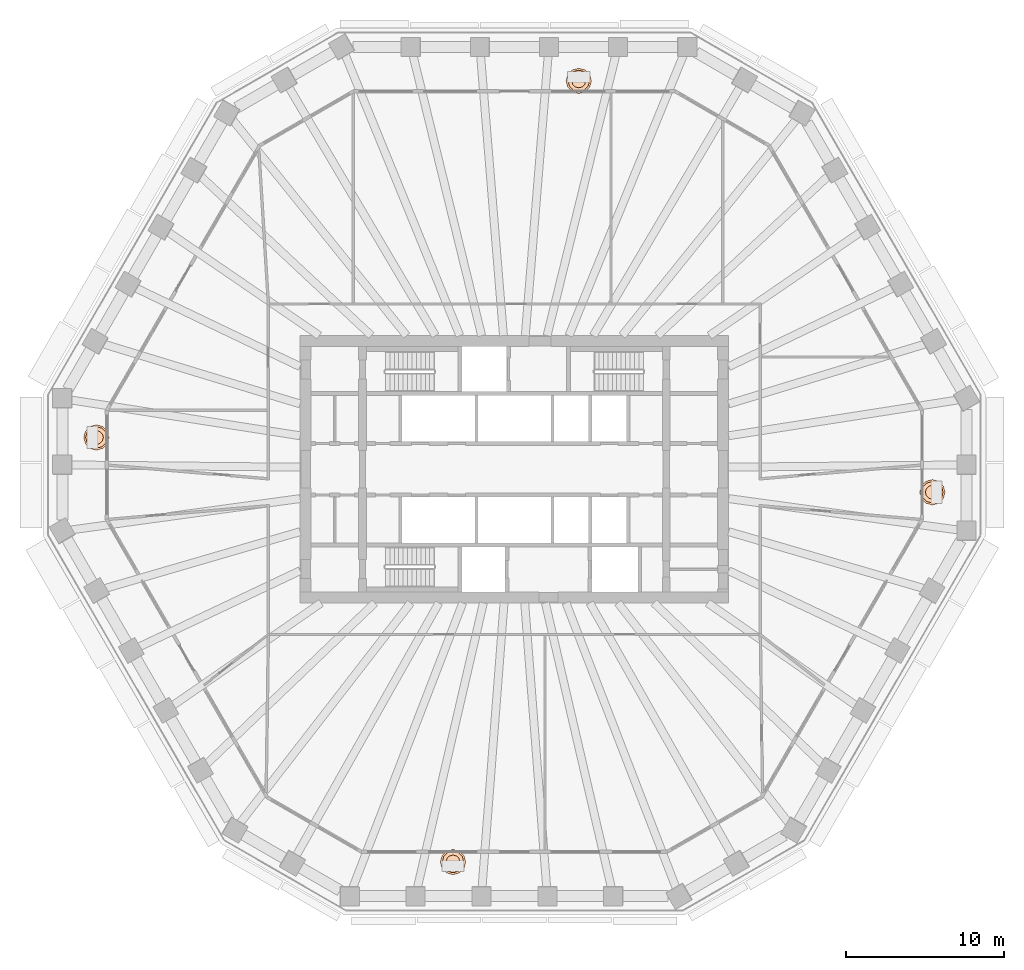
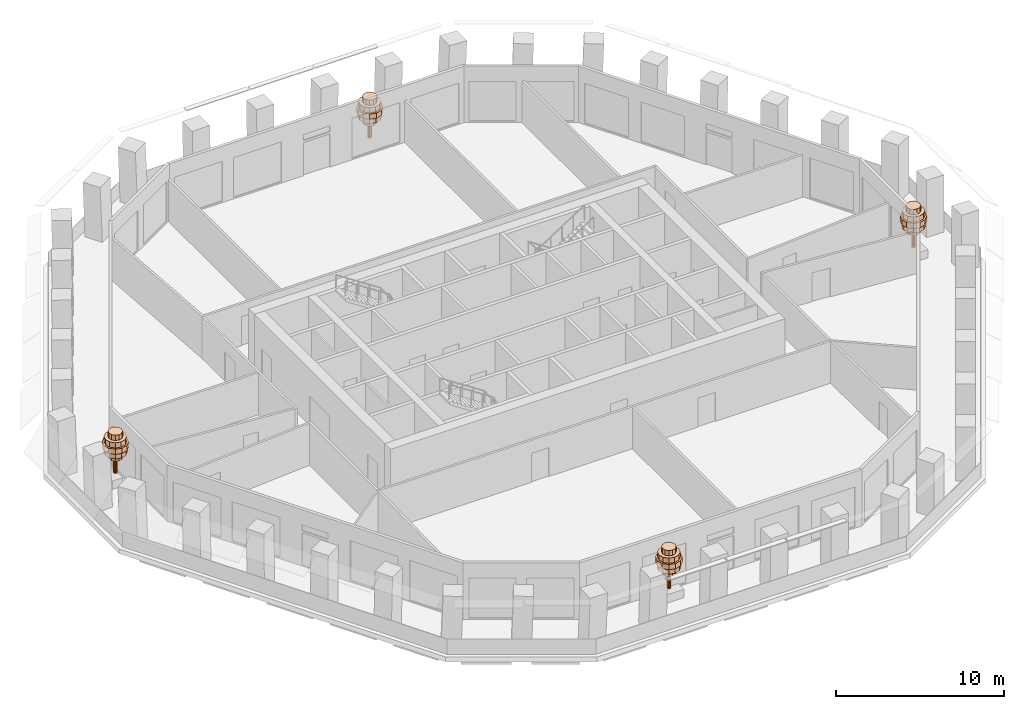
# One storey, part 12 of 12: 4 geographic elements.
"""IFC4 building model written with IfcOpenShell, lengths in metres."""

from ifc_helpers import new_model, si_unit, direction, frame, origin, place, context, subcontext, project, spatial, polyline, outline, extrude, material, type_object, element, save


model = new_model("IFC4")

# Units and contexts
model_context = context("Model", 3, precision=1e-05, world=origin(), true_north=direction((0.0, 1.0)))
body_context = subcontext(model_context, "Body", "Model", "MODEL_VIEW")
ifc_project = project(units=[si_unit("LENGTHUNIT", "METRE"), si_unit("AREAUNIT", "SQUARE_METRE"), si_unit("VOLUMEUNIT", "CUBIC_METRE"), si_unit("PLANEANGLEUNIT", "RADIAN"), si_unit("MASSUNIT", "GRAM", prefix="KILO")], contexts=[model_context])

# Site, building, storey
site_placement = place(None, origin())
site = spatial("IfcSite", under=ifc_project, at=site_placement, CompositionType="ELEMENT")
building_placement = place(site_placement, origin())
building = spatial("IfcBuilding", under=site, at=building_placement, Name="Frailejon Research Tower", CompositionType="ELEMENT")
storey_placement = place(building_placement, frame((0.0, 0.0, 154.0)))
storey = spatial("IfcBuildingStorey", under=building, at=storey_placement, Name="L33", CompositionType="ELEMENT", Elevation=154.0)

# Geographic elements
ifc_material = material(Name="Foliage, green")
geographic_element_type = type_object("IfcGeographicElementType", Name="Frailejon tree, loggia", PredefinedType="USERDEFINED", material=ifc_material)
geographic_element_1_placement = place(storey_placement, frame((26.422607421875, -1.45556640625, 0.60009765625)))
element("IfcGeographicElement", 1, at=geographic_element_1_placement, inside=storey, type_object=geographic_element_type, Name="Tree L33", ObjectType="TREE", PredefinedType="USERDEFINED", context=body_context, shape_type="SweptSolid", body=[
    extrude(outline(polyline([(0.1298828125, 0.0), (0.112548828125, 0.06494140625), (0.06494140625, 0.112548828125), (0.0, 0.1298828125), (-0.06494140625, 0.112548828125), (-0.112548828125, 0.06494140625), (-0.1298828125, 0.0), (-0.112548828125, -0.06494140625), (-0.06494140625, -0.112548828125), (0.0, -0.1298828125), (0.06494140625, -0.112548828125), (0.112548828125, -0.06494140625), (0.1298828125, 0.0)])), origin(), (0.0, 0.0, 1.0), 2.239990234375),
    extrude(outline(polyline([(0.43994140625, 0.0), (0.381103515625, 0.219970703125), (0.219970703125, 0.381103515625), (0.0, 0.43994140625), (-0.219970703125, 0.381103515625), (-0.381103515625, 0.219970703125), (-0.43994140625, 0.0), (-0.381103515625, -0.219970703125), (-0.219970703125, -0.381103515625), (0.0, -0.43994140625), (0.219970703125, -0.381103515625), (0.381103515625, -0.219970703125), (0.43994140625, 0.0)])), frame((0.0, 0.0, 1.10009765625)), (0.0, 0.0, 1.0), 0.3798828125),
    extrude(outline(polyline([(0.719970703125, 0.0), (0.62353515625, 0.360107421875), (0.360107421875, 0.62353515625), (0.0, 0.719970703125), (-0.360107421875, 0.62353515625), (-0.62353515625, 0.360107421875), (-0.719970703125, 0.0), (-0.62353515625, -0.360107421875), (-0.360107421875, -0.62353515625), (0.0, -0.719970703125), (0.360107421875, -0.62353515625), (0.62353515625, -0.360107421875), (0.719970703125, 0.0)])), frame((0.0, 0.0, 1.47998046875)), (0.0, 0.0, 1.0), 0.3798828125),
    extrude(outline(polyline([(0.800048828125, 0.0), (0.69287109375, 0.39990234375), (0.39990234375, 0.69287109375), (0.0, 0.800048828125), (-0.39990234375, 0.69287109375), (-0.69287109375, 0.39990234375), (-0.800048828125, 0.0), (-0.69287109375, -0.39990234375), (-0.39990234375, -0.69287109375), (0.0, -0.800048828125), (0.39990234375, -0.69287109375), (0.69287109375, -0.39990234375), (0.800048828125, 0.0)])), frame((0.0, 0.0, 1.860107421875)), (0.0, 0.0, 1.0), 0.3798828125),
    extrude(outline(polyline([(0.679931640625, 0.0), (0.5888671875, 0.340087890625), (0.340087890625, 0.5888671875), (0.0, 0.679931640625), (-0.340087890625, 0.5888671875), (-0.5888671875, 0.340087890625), (-0.679931640625, 0.0), (-0.5888671875, -0.340087890625), (-0.340087890625, -0.5888671875), (0.0, -0.679931640625), (0.340087890625, -0.5888671875), (0.5888671875, -0.340087890625), (0.679931640625, 0.0)])), frame((0.0, 0.0, 2.239990234375)), (0.0, 0.0, 1.0), 0.3798828125),
    extrude(outline(polyline([(0.43994140625, 0.0), (0.381103515625, 0.219970703125), (0.219970703125, 0.381103515625), (0.0, 0.43994140625), (-0.219970703125, 0.381103515625), (-0.381103515625, 0.219970703125), (-0.43994140625, 0.0), (-0.381103515625, -0.219970703125), (-0.219970703125, -0.381103515625), (0.0, -0.43994140625), (0.219970703125, -0.381103515625), (0.381103515625, -0.219970703125), (0.43994140625, 0.0)])), frame((0.0, 0.0, 2.6201171875)), (0.0, 0.0, 1.0), 0.3798828125),
])
geographic_element_2_placement = place(storey_placement, frame((4.0703125, 24.550048828125, 0.60009765625)))
element("IfcGeographicElement", 2, at=geographic_element_2_placement, inside=storey, type_object=geographic_element_type, Name="Tree L33", ObjectType="TREE", PredefinedType="USERDEFINED", context=body_context, shape_type="SweptSolid", body=[
    extrude(outline(polyline([(0.1298828125, 0.0), (0.112548828125, 0.06494140625), (0.06494140625, 0.112548828125), (0.0, 0.1298828125), (-0.06494140625, 0.112548828125), (-0.112548828125, 0.06494140625), (-0.1298828125, 0.0), (-0.112548828125, -0.06494140625), (-0.06494140625, -0.112548828125), (0.0, -0.1298828125), (0.06494140625, -0.112548828125), (0.112548828125, -0.06494140625), (0.1298828125, 0.0)])), origin(), (0.0, 0.0, 1.0), 2.239990234375),
    extrude(outline(polyline([(0.43994140625, 0.0), (0.381103515625, 0.219970703125), (0.219970703125, 0.381103515625), (0.0, 0.43994140625), (-0.219970703125, 0.381103515625), (-0.381103515625, 0.219970703125), (-0.43994140625, 0.0), (-0.381103515625, -0.219970703125), (-0.219970703125, -0.381103515625), (0.0, -0.43994140625), (0.219970703125, -0.381103515625), (0.381103515625, -0.219970703125), (0.43994140625, 0.0)])), frame((0.0, 0.0, 1.10009765625)), (0.0, 0.0, 1.0), 0.3798828125),
    extrude(outline(polyline([(0.719970703125, 0.0), (0.62353515625, 0.360107421875), (0.360107421875, 0.62353515625), (0.0, 0.719970703125), (-0.360107421875, 0.62353515625), (-0.62353515625, 0.360107421875), (-0.719970703125, 0.0), (-0.62353515625, -0.360107421875), (-0.360107421875, -0.62353515625), (0.0, -0.719970703125), (0.360107421875, -0.62353515625), (0.62353515625, -0.360107421875), (0.719970703125, 0.0)])), frame((0.0, 0.0, 1.47998046875)), (0.0, 0.0, 1.0), 0.3798828125),
    extrude(outline(polyline([(0.800048828125, 0.0), (0.69287109375, 0.39990234375), (0.39990234375, 0.69287109375), (0.0, 0.800048828125), (-0.39990234375, 0.69287109375), (-0.69287109375, 0.39990234375), (-0.800048828125, 0.0), (-0.69287109375, -0.39990234375), (-0.39990234375, -0.69287109375), (0.0, -0.800048828125), (0.39990234375, -0.69287109375), (0.69287109375, -0.39990234375), (0.800048828125, 0.0)])), frame((0.0, 0.0, 1.860107421875)), (0.0, 0.0, 1.0), 0.3798828125),
    extrude(outline(polyline([(0.679931640625, 0.0), (0.5888671875, 0.340087890625), (0.340087890625, 0.5888671875), (0.0, 0.679931640625), (-0.340087890625, 0.5888671875), (-0.5888671875, 0.340087890625), (-0.679931640625, 0.0), (-0.5888671875, -0.340087890625), (-0.340087890625, -0.5888671875), (0.0, -0.679931640625), (0.340087890625, -0.5888671875), (0.5888671875, -0.340087890625), (0.679931640625, 0.0)])), frame((0.0, 0.0, 2.239990234375)), (0.0, 0.0, 1.0), 0.3798828125),
    extrude(outline(polyline([(0.43994140625, 0.0), (0.381103515625, 0.219970703125), (0.219970703125, 0.381103515625), (0.0, 0.43994140625), (-0.219970703125, 0.381103515625), (-0.381103515625, 0.219970703125), (-0.43994140625, 0.0), (-0.381103515625, -0.219970703125), (-0.219970703125, -0.381103515625), (0.0, -0.43994140625), (0.219970703125, -0.381103515625), (0.381103515625, -0.219970703125), (0.43994140625, 0.0)])), frame((0.0, 0.0, 2.6201171875)), (0.0, 0.0, 1.0), 0.3798828125),
])
geographic_element_3_placement = place(storey_placement, frame((-26.422607421875, 2.008544921875, 0.60009765625)))
element("IfcGeographicElement", 3, at=geographic_element_3_placement, inside=storey, type_object=geographic_element_type, Name="Tree L33", ObjectType="TREE", PredefinedType="USERDEFINED", context=body_context, shape_type="SweptSolid", body=[
    extrude(outline(polyline([(0.1298828125, 0.0), (0.112548828125, 0.06494140625), (0.06494140625, 0.112548828125), (0.0, 0.1298828125), (-0.06494140625, 0.112548828125), (-0.112548828125, 0.06494140625), (-0.1298828125, 0.0), (-0.112548828125, -0.06494140625), (-0.06494140625, -0.112548828125), (0.0, -0.1298828125), (0.06494140625, -0.112548828125), (0.112548828125, -0.06494140625), (0.1298828125, 0.0)])), origin(), (0.0, 0.0, 1.0), 2.239990234375),
    extrude(outline(polyline([(0.43994140625, 0.0), (0.381103515625, 0.219970703125), (0.219970703125, 0.381103515625), (0.0, 0.43994140625), (-0.219970703125, 0.381103515625), (-0.381103515625, 0.219970703125), (-0.43994140625, 0.0), (-0.381103515625, -0.219970703125), (-0.219970703125, -0.381103515625), (0.0, -0.43994140625), (0.219970703125, -0.381103515625), (0.381103515625, -0.219970703125), (0.43994140625, 0.0)])), frame((0.0, 0.0, 1.10009765625)), (0.0, 0.0, 1.0), 0.3798828125),
    extrude(outline(polyline([(0.719970703125, 0.0), (0.62353515625, 0.360107421875), (0.360107421875, 0.62353515625), (0.0, 0.719970703125), (-0.360107421875, 0.62353515625), (-0.62353515625, 0.360107421875), (-0.719970703125, 0.0), (-0.62353515625, -0.360107421875), (-0.360107421875, -0.62353515625), (0.0, -0.719970703125), (0.360107421875, -0.62353515625), (0.62353515625, -0.360107421875), (0.719970703125, 0.0)])), frame((0.0, 0.0, 1.47998046875)), (0.0, 0.0, 1.0), 0.3798828125),
    extrude(outline(polyline([(0.800048828125, 0.0), (0.69287109375, 0.39990234375), (0.39990234375, 0.69287109375), (0.0, 0.800048828125), (-0.39990234375, 0.69287109375), (-0.69287109375, 0.39990234375), (-0.800048828125, 0.0), (-0.69287109375, -0.39990234375), (-0.39990234375, -0.69287109375), (0.0, -0.800048828125), (0.39990234375, -0.69287109375), (0.69287109375, -0.39990234375), (0.800048828125, 0.0)])), frame((0.0, 0.0, 1.860107421875)), (0.0, 0.0, 1.0), 0.3798828125),
    extrude(outline(polyline([(0.679931640625, 0.0), (0.5888671875, 0.340087890625), (0.340087890625, 0.5888671875), (0.0, 0.679931640625), (-0.340087890625, 0.5888671875), (-0.5888671875, 0.340087890625), (-0.679931640625, 0.0), (-0.5888671875, -0.340087890625), (-0.340087890625, -0.5888671875), (0.0, -0.679931640625), (0.340087890625, -0.5888671875), (0.5888671875, -0.340087890625), (0.679931640625, 0.0)])), frame((0.0, 0.0, 2.239990234375)), (0.0, 0.0, 1.0), 0.3798828125),
    extrude(outline(polyline([(0.43994140625, 0.0), (0.381103515625, 0.219970703125), (0.219970703125, 0.381103515625), (0.0, 0.43994140625), (-0.219970703125, 0.381103515625), (-0.381103515625, 0.219970703125), (-0.43994140625, 0.0), (-0.381103515625, -0.219970703125), (-0.219970703125, -0.381103515625), (0.0, -0.43994140625), (0.219970703125, -0.381103515625), (0.381103515625, -0.219970703125), (0.43994140625, 0.0)])), frame((0.0, 0.0, 2.6201171875)), (0.0, 0.0, 1.0), 0.3798828125),
])
geographic_element_4_placement = place(storey_placement, frame((-3.878662109375, -24.82666015625, 0.60009765625)))
element("IfcGeographicElement", 4, at=geographic_element_4_placement, inside=storey, type_object=geographic_element_type, Name="Tree L33", ObjectType="TREE", PredefinedType="USERDEFINED", context=body_context, shape_type="SweptSolid", body=[
    extrude(outline(polyline([(0.1298828125, 0.0), (0.112548828125, 0.06494140625), (0.06494140625, 0.112548828125), (0.0, 0.1298828125), (-0.06494140625, 0.112548828125), (-0.112548828125, 0.06494140625), (-0.1298828125, 0.0), (-0.112548828125, -0.06494140625), (-0.06494140625, -0.112548828125), (0.0, -0.1298828125), (0.06494140625, -0.112548828125), (0.112548828125, -0.06494140625), (0.1298828125, 0.0)])), origin(), (0.0, 0.0, 1.0), 2.239990234375),
    extrude(outline(polyline([(0.43994140625, 0.0), (0.381103515625, 0.219970703125), (0.219970703125, 0.381103515625), (0.0, 0.43994140625), (-0.219970703125, 0.381103515625), (-0.381103515625, 0.219970703125), (-0.43994140625, 0.0), (-0.381103515625, -0.219970703125), (-0.219970703125, -0.381103515625), (0.0, -0.43994140625), (0.219970703125, -0.381103515625), (0.381103515625, -0.219970703125), (0.43994140625, 0.0)])), frame((0.0, 0.0, 1.10009765625)), (0.0, 0.0, 1.0), 0.3798828125),
    extrude(outline(polyline([(0.719970703125, 0.0), (0.62353515625, 0.360107421875), (0.360107421875, 0.62353515625), (0.0, 0.719970703125), (-0.360107421875, 0.62353515625), (-0.62353515625, 0.360107421875), (-0.719970703125, 0.0), (-0.62353515625, -0.360107421875), (-0.360107421875, -0.62353515625), (0.0, -0.719970703125), (0.360107421875, -0.62353515625), (0.62353515625, -0.360107421875), (0.719970703125, 0.0)])), frame((0.0, 0.0, 1.47998046875)), (0.0, 0.0, 1.0), 0.3798828125),
    extrude(outline(polyline([(0.800048828125, 0.0), (0.69287109375, 0.39990234375), (0.39990234375, 0.69287109375), (0.0, 0.800048828125), (-0.39990234375, 0.69287109375), (-0.69287109375, 0.39990234375), (-0.800048828125, 0.0), (-0.69287109375, -0.39990234375), (-0.39990234375, -0.69287109375), (0.0, -0.800048828125), (0.39990234375, -0.69287109375), (0.69287109375, -0.39990234375), (0.800048828125, 0.0)])), frame((0.0, 0.0, 1.860107421875)), (0.0, 0.0, 1.0), 0.3798828125),
    extrude(outline(polyline([(0.679931640625, 0.0), (0.5888671875, 0.340087890625), (0.340087890625, 0.5888671875), (0.0, 0.679931640625), (-0.340087890625, 0.5888671875), (-0.5888671875, 0.340087890625), (-0.679931640625, 0.0), (-0.5888671875, -0.340087890625), (-0.340087890625, -0.5888671875), (0.0, -0.679931640625), (0.340087890625, -0.5888671875), (0.5888671875, -0.340087890625), (0.679931640625, 0.0)])), frame((0.0, 0.0, 2.239990234375)), (0.0, 0.0, 1.0), 0.3798828125),
    extrude(outline(polyline([(0.43994140625, 0.0), (0.381103515625, 0.219970703125), (0.219970703125, 0.381103515625), (0.0, 0.43994140625), (-0.219970703125, 0.381103515625), (-0.381103515625, 0.219970703125), (-0.43994140625, 0.0), (-0.381103515625, -0.219970703125), (-0.219970703125, -0.381103515625), (0.0, -0.43994140625), (0.219970703125, -0.381103515625), (0.381103515625, -0.219970703125), (0.43994140625, 0.0)])), frame((0.0, 0.0, 2.6201171875)), (0.0, 0.0, 1.0), 0.3798828125),
])

save(model, "model.ifc")
